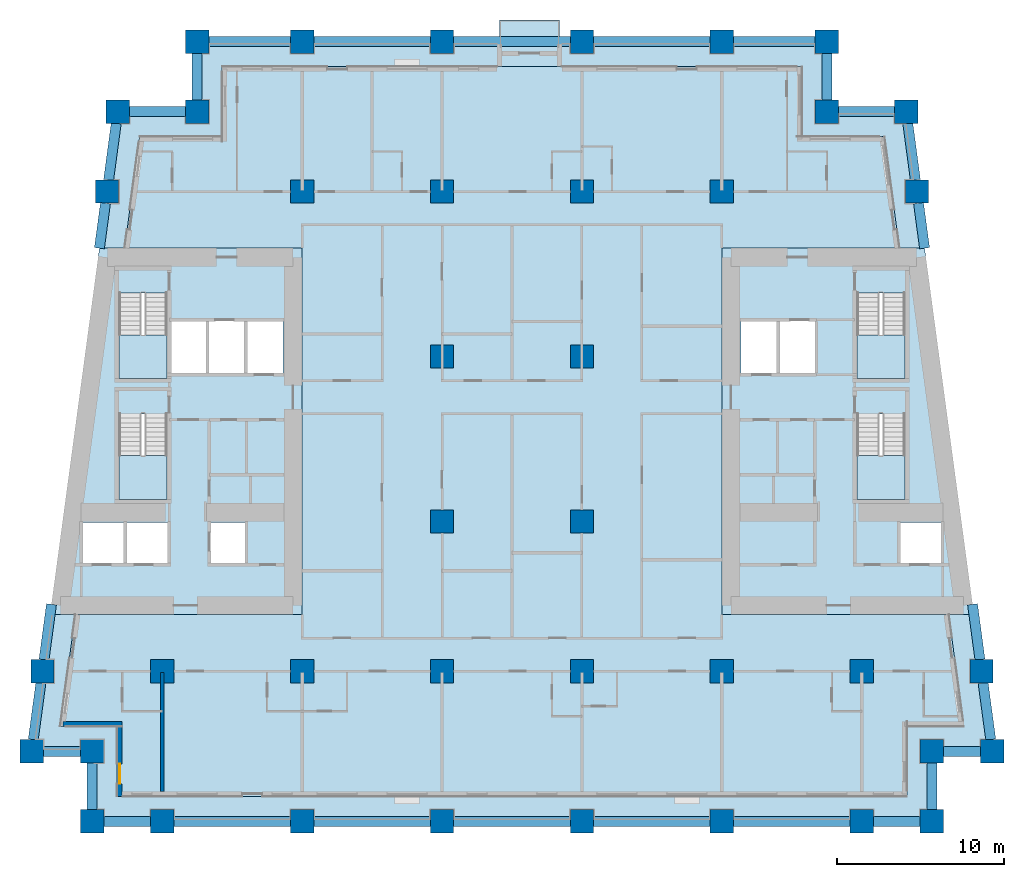
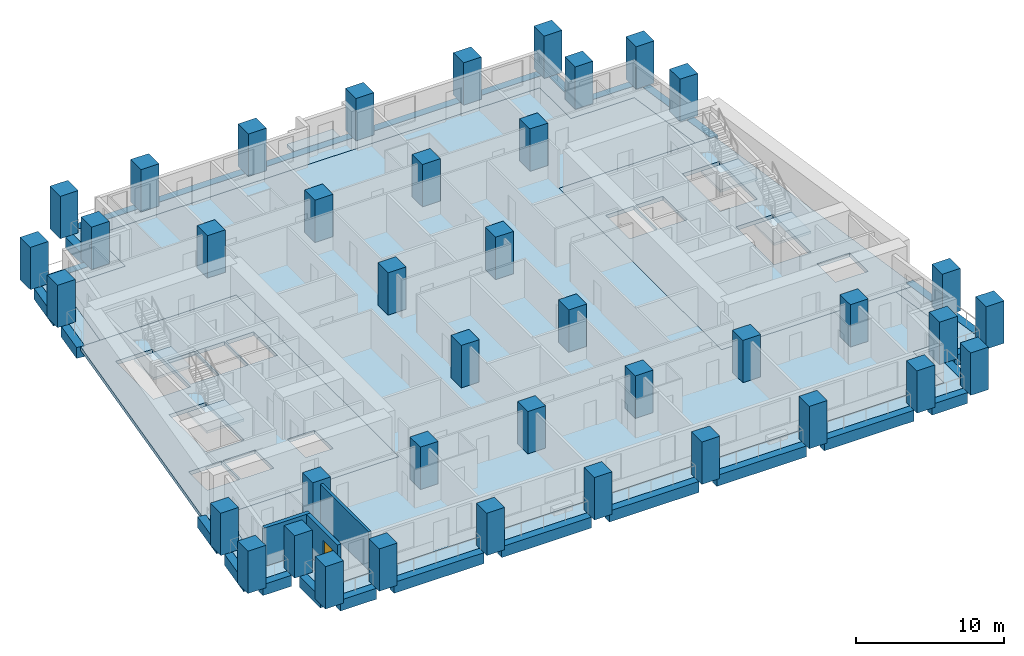
# One storey, part 1 of 13: 40 columns, 28 beams, 10 slabs, 3 walls, 1 door, 1 opening, 4 elements without a shape of their own.
"""IFC4 building model written with IfcOpenShell, lengths in metres."""

from ifc_helpers import new_model, si_unit, direction, frame, frame_2d, origin, origin_2d, place, context, subcontext, project, spatial, polyline, rectangle, outline, extrude, material, layer, layer_set, material_profile, profile_set, type_object, element, fill, aggregate, save


model = new_model("IFC4")

# Units and contexts
model_context = context("Model", 3, precision=1e-05, world=origin(), true_north=direction((0.0, 1.0)))
body_context = subcontext(model_context, "Body", "Model", "MODEL_VIEW")
ifc_project = project(units=[si_unit("LENGTHUNIT", "METRE"), si_unit("AREAUNIT", "SQUARE_METRE"), si_unit("VOLUMEUNIT", "CUBIC_METRE"), si_unit("PLANEANGLEUNIT", "RADIAN"), si_unit("MASSUNIT", "GRAM", prefix="KILO")], contexts=[model_context])

# Site, building, storey
site_placement = place(None, origin())
site = spatial("IfcSite", under=ifc_project, at=site_placement, CompositionType="ELEMENT")
building_placement = place(site_placement, origin())
building = spatial("IfcBuilding", under=site, at=building_placement, Name="Candeia Pilgrim Tower and Theatre", CompositionType="ELEMENT")
storey_placement = place(building_placement, frame((0.0, 0.0, 56.5)))
storey = spatial("IfcBuildingStorey", under=building, at=storey_placement, Name="L11", CompositionType="ELEMENT", Elevation=56.5)

# Columns
ifc_material_1 = material(Name="Concrete C80/95", Category="concrete")
ifc_material_profile_1 = material_profile(ifc_material_1, rectangle(XDim=1.39990234375, YDim=1.39990234375, at=origin_2d()))
ifc_profile_set_1 = profile_set([ifc_material_profile_1], Name="Concrete C80/95")
column_type = type_object("IfcColumnType", Name="RC 1400x1400 C80/95", PredefinedType="COLUMN", material=ifc_profile_set_1)
for number, where, z_axis, x_axis, name in (
    (1, (92.39990234375, 98.0, 0.0), (0.0, 0.0, 1.0), (1.0, 0.0, 0.0), "Column A1"),
    (2, (100.800048828125, 98.0, 0.0), (0.0, 0.0, 1.0), (1.0, 0.0, 0.0), "Column A2"),
    (3, (109.199951171875, 98.0, 0.0), (0.0, 0.0, 1.0), (1.0, 0.0, 0.0), "Column A3"),
    (4, (117.60009765625, 98.0, 0.0), (0.0, 0.0, 1.0), (1.0, 0.0, 0.0), "Column A4"),
    (5, (126.0, 98.0, 0.0), (0.0, 0.0, 1.0), (1.0, 0.0, 0.0), "Column A5"),
    (6, (134.39990234375, 98.0, 0.0), (0.0, 0.0, 1.0), (1.0, 0.0, 0.0), "Column A6"),
    (7, (88.199951171875, 98.0, 0.0), (0.0, 0.0, 1.0), (1.0, 0.0, 0.0), "Column AW"),
    (8, (138.60009765625, 98.0, 0.0), (0.0, 0.0, 1.0), (1.0, 0.0, 0.0), "Column AE"),
    (9, (88.199951171875, 102.199951171875, 0.0), (0.0, 0.0, 1.0), (1.0, 0.0, 0.0), "Column NSW"),
    (10, (138.60009765625, 102.199951171875, 0.0), (0.0, 0.0, 1.0), (1.0, 0.0, 0.0), "Column NSE"),
    (11, (94.5, 140.60009765625, 0.0), (0.0, 0.0, 1.0), (1.0, 0.0, 0.0), "Column NNW"),
    (12, (132.300048828125, 140.60009765625, 0.0), (0.0, 0.0, 1.0), (1.0, 0.0, 0.0), "Column NNE"),
    (13, (84.5654296875, 102.199951171875, 0.0), (0.0, 0.0, 1.0), (1.0, 0.0, 0.0), "Column LSW"),
    (14, (142.234619140625, 102.199951171875, 0.0), (0.0, 0.0, 1.0), (1.0, 0.0, 0.0), "Column LSE"),
    (15, (89.734619140625, 140.60009765625, 0.0), (0.0, 0.0, 1.0), (1.0, 0.0, 0.0), "Column LNW"),
    (16, (137.0654296875, 140.60009765625, 0.0), (0.0, 0.0, 1.0), (1.0, 0.0, 0.0), "Column LNE"),
    (17, (92.39990234375, 107.0, 0.0), (0.0, 0.0, 1.0), (1.0, 0.0, 0.0), "Column B1"),
    (18, (100.800048828125, 107.0, 0.0), (0.0, 0.0, 1.0), (1.0, 0.0, 0.0), "Column B2"),
    (19, (109.199951171875, 107.0, 0.0), (0.0, 0.0, 1.0), (1.0, 0.0, 0.0), "Column B3"),
    (20, (117.60009765625, 107.0, 0.0), (0.0, 0.0, 1.0), (1.0, 0.0, 0.0), "Column B4"),
    (21, (126.0, 107.0, 0.0), (0.0, 0.0, 1.0), (1.0, 0.0, 0.0), "Column B5"),
    (22, (134.39990234375, 107.0, 0.0), (0.0, 0.0, 1.0), (1.0, 0.0, 0.0), "Column B6"),
    (23, (85.21142578125, 107.0, 0.0), (0.0, 0.0, 1.0), (1.0, 0.0, 0.0), "Column BW"),
    (24, (141.58837890625, 107.0, 0.0), (0.0, 0.0, 1.0), (1.0, 0.0, 0.0), "Column BE"),
    (25, (109.199951171875, 116.0, 0.0), (0.0, 0.0, 1.0), (1.0, 0.0, 0.0), "Column C3"),
    (26, (117.60009765625, 116.0, 0.0), (0.0, 0.0, 1.0), (1.0, 0.0, 0.0), "Column C4"),
    (27, (109.199951171875, 125.89990234375, 0.0), (0.0, 0.0, 1.0), (1.0, 0.0, 0.0), "Column D3"),
    (28, (117.60009765625, 125.89990234375, 0.0), (0.0, 0.0, 1.0), (1.0, 0.0, 0.0), "Column D4"),
    (29, (100.800048828125, 135.800048828125, 0.0), (0.0, 0.0, 1.0), (1.0, 0.0, 0.0), "Column E2"),
    (30, (109.199951171875, 135.800048828125, 0.0), (0.0, 0.0, 1.0), (1.0, 0.0, 0.0), "Column E3"),
    (31, (117.60009765625, 135.800048828125, 0.0), (0.0, 0.0, 1.0), (1.0, 0.0, 0.0), "Column E4"),
    (32, (126.0, 135.800048828125, 0.0), (0.0, 0.0, 1.0), (1.0, 0.0, 0.0), "Column E5"),
    (33, (89.08837890625, 135.800048828125, 0.0), (0.0, 0.0, 1.0), (1.0, 0.0, 0.0), "Column EW"),
    (34, (137.71142578125, 135.800048828125, 0.0), (0.0, 0.0, 1.0), (1.0, 0.0, 0.0), "Column EE"),
    (35, (100.800048828125, 144.800048828125, 0.0), (0.0, 0.0, 1.0), (1.0, 0.0, 0.0), "Column F2"),
    (36, (109.199951171875, 144.800048828125, 0.0), (0.0, 0.0, 1.0), (1.0, 0.0, 0.0), "Column F3"),
    (37, (117.60009765625, 144.800048828125, 0.0), (0.0, 0.0, 1.0), (1.0, 0.0, 0.0), "Column F4"),
    (38, (126.0, 144.800048828125, 0.0), (0.0, 0.0, 1.0), (1.0, 0.0, 0.0), "Column F5"),
    (39, (94.5, 144.800048828125, 0.0), (0.0, 0.0, 1.0), (1.0, 0.0, 0.0), "Column FW"),
    (40, (132.300048828125, 144.800048828125, 0.0), (0.0, 0.0, 1.0), (1.0, 0.0, 0.0), "Column FE"),
):
    element("IfcColumn", number, at=place(storey_placement, frame(where, z_axis=z_axis, x_axis=x_axis)), inside=storey, type_object=column_type, Name=name, PredefinedType="COLUMN", context=body_context, shape_type="SweptSolid", body=[
        extrude(rectangle(XDim=1.39990234375, YDim=1.39990234375, at=origin_2d()), origin(), (0.0, 0.0, 1.0), 3.5),
    ])

# Beams
ifc_material_profile_2 = material_profile(ifc_material_1, rectangle(XDim=0.60009765625, YDim=0.89990234375, at=origin_2d()))
ifc_profile_set_2 = profile_set([ifc_material_profile_2], Name="Concrete C80/95")
beam_type = type_object("IfcBeamType", Name="RC 600x900 C80/95", PredefinedType="BEAM", material=ifc_profile_set_2)
beam_1_placement = place(storey_placement, frame((88.89990234375, 98.0, -0.449951171875), z_axis=(1.0, 0.0, 0.0), x_axis=(0.0, 1.0, 0.0)))
element("IfcBeam", 41, at=beam_1_placement, inside=storey, type_object=beam_type, Name="Spandrel beam L11-01", PredefinedType="BEAM", context=body_context, shape_type="SweptSolid", body=[
    extrude(rectangle(XDim=0.60009765625, YDim=0.89990234375, at=origin_2d()), origin(), (0.0, 0.0, 1.0), 2.800048828125),
])
for number, where, z_axis, x_axis, name in (
    (42, (93.10009765625, 98.0, -0.449951171875), (1.0, 0.0, 0.0), (0.0, 1.0, 0.0), "Spandrel beam L11-02"),
    (43, (101.5, 98.0, -0.449951171875), (1.0, 0.0, 0.0), (0.0, 1.0, 0.0), "Spandrel beam L11-03"),
    (44, (109.89990234375, 98.0, -0.449951171875), (1.0, 0.0, 0.0), (0.0, 1.0, 0.0), "Spandrel beam L11-04"),
    (45, (118.300048828125, 98.0, -0.449951171875), (1.0, 0.0, 0.0), (0.0, 1.0, 0.0), "Spandrel beam L11-05"),
    (46, (126.699951171875, 98.0, -0.449951171875), (1.0, 0.0, 0.0), (0.0, 1.0, 0.0), "Spandrel beam L11-06"),
):
    element("IfcBeam", number, at=place(storey_placement, frame(where, z_axis=z_axis, x_axis=x_axis)), inside=storey, type_object=beam_type, Name=name, PredefinedType="BEAM", context=body_context, shape_type="SweptSolid", body=[
        extrude(rectangle(XDim=0.60009765625, YDim=0.89990234375, at=origin_2d()), origin(), (0.0, 0.0, 1.0), 7.0),
    ])
beam_2_placement = place(storey_placement, frame((135.10009765625, 98.0, -0.449951171875), z_axis=(1.0, 0.0, 0.0), x_axis=(0.0, 1.0, 0.0)))
element("IfcBeam", 47, at=beam_2_placement, inside=storey, type_object=beam_type, Name="Spandrel beam L11-07", PredefinedType="BEAM", context=body_context, shape_type="SweptSolid", body=[
    extrude(rectangle(XDim=0.60009765625, YDim=0.89990234375, at=origin_2d()), origin(), (0.0, 0.0, 1.0), 2.7998046875),
])
beam_3_placement = place(storey_placement, frame((138.60009765625, 98.699951171875, -0.449951171875), z_axis=(0.0, 1.0, 0.0), x_axis=(-1.0, 0.0, 0.0)))
element("IfcBeam", 48, at=beam_3_placement, inside=storey, type_object=beam_type, Name="Spandrel beam L11-08", PredefinedType="BEAM", context=body_context, shape_type="SweptSolid", body=[
    extrude(rectangle(XDim=0.60009765625, YDim=0.89990234375, at=origin_2d()), origin(), (0.0, 0.0, 1.0), 2.800048828125),
])
beam_4_placement = place(storey_placement, frame((139.300048828125, 102.199951171875, -0.449951171875), z_axis=(1.0, 0.0, 0.0), x_axis=(0.0, 1.0, 0.0)))
element("IfcBeam", 49, at=beam_4_placement, inside=storey, type_object=beam_type, Name="Spandrel beam L11-09", PredefinedType="BEAM", context=body_context, shape_type="SweptSolid", body=[
    extrude(rectangle(XDim=0.60009765625, YDim=0.89990234375, at=origin_2d()), origin(), (0.0, 0.0, 1.0), 2.234619140625),
])
beam_5_placement = place(storey_placement, frame((142.140380859375, 102.89990234375, -0.449951171875), z_axis=(-0.133426797477, 0.991058671177, 0.0), x_axis=(-0.991058671177, -0.133426797477, 0.0)))
element("IfcBeam", 50, at=beam_5_placement, inside=storey, type_object=beam_type, Name="Spandrel beam L11-10", PredefinedType="BEAM", context=body_context, shape_type="SweptSolid", body=[
    extrude(rectangle(XDim=0.60009765625, YDim=0.89990234375, at=origin_2d()), origin(), (0.0, 0.0, 1.0), 3.430908203125),
])
beam_6_placement = place(storey_placement, frame((141.494140625, 107.699951171875, -0.449951171875), z_axis=(-0.13337488337, 0.991065659019, 0.0), x_axis=(-0.991065659019, -0.13337488337, 0.0)))
element("IfcBeam", 51, at=beam_6_placement, inside=storey, type_object=beam_type, Name="Spandrel beam L11-11", PredefinedType="BEAM", context=body_context, shape_type="SweptSolid", body=[
    extrude(rectangle(XDim=0.60009765625, YDim=0.89990234375, at=origin_2d()), origin(), (0.0, 0.0, 1.0), 3.353515625),
])
beam_7_placement = place(storey_placement, frame((138.169189453125, 132.39990234375, -0.449951171875), z_axis=(-0.133425552527, 0.991058838784, 0.0), x_axis=(-0.991058838784, -0.133425552527, 0.0)))
element("IfcBeam", 52, at=beam_7_placement, inside=storey, type_object=beam_type, Name="Spandrel beam L11-12", PredefinedType="BEAM", context=body_context, shape_type="SweptSolid", body=[
    extrude(rectangle(XDim=0.60009765625, YDim=0.89990234375, at=origin_2d()), origin(), (0.0, 0.0, 1.0), 2.724609375),
])
beam_8_placement = place(storey_placement, frame((137.6171875, 136.5, -0.449951171875), z_axis=(-0.13336630817, 0.991066813008, 0.0), x_axis=(-0.991066813008, -0.13336630817, 0.0)))
element("IfcBeam", 53, at=beam_8_placement, inside=storey, type_object=beam_type, Name="Spandrel beam L11-13", PredefinedType="BEAM", context=body_context, shape_type="SweptSolid", body=[
    extrude(rectangle(XDim=0.60009765625, YDim=0.89990234375, at=origin_2d()), origin(), (0.0, 0.0, 1.0), 3.4306640625),
])
beam_9_placement = place(storey_placement, frame((136.365478515625, 140.60009765625, -0.449951171875), z_axis=(-1.0, 0.0, 0.0), x_axis=(0.0, -1.0, 0.0)))
element("IfcBeam", 54, at=beam_9_placement, inside=storey, type_object=beam_type, Name="Spandrel beam L11-14", PredefinedType="BEAM", context=body_context, shape_type="SweptSolid", body=[
    extrude(rectangle(XDim=0.60009765625, YDim=0.89990234375, at=origin_2d()), origin(), (0.0, 0.0, 1.0), 3.365478515625),
])
beam_10_placement = place(storey_placement, frame((132.300048828125, 141.300048828125, -0.449951171875), z_axis=(0.0, 1.0, 0.0), x_axis=(-1.0, 0.0, 0.0)))
element("IfcBeam", 55, at=beam_10_placement, inside=storey, type_object=beam_type, Name="Spandrel beam L11-15", PredefinedType="BEAM", context=body_context, shape_type="SweptSolid", body=[
    extrude(rectangle(XDim=0.60009765625, YDim=0.89990234375, at=origin_2d()), origin(), (0.0, 0.0, 1.0), 2.800048828125),
])
beam_11_placement = place(storey_placement, frame((131.60009765625, 144.800048828125, -0.449951171875), z_axis=(-1.0, 0.0, 0.0), x_axis=(0.0, -1.0, 0.0)))
element("IfcBeam", 56, at=beam_11_placement, inside=storey, type_object=beam_type, Name="Spandrel beam L11-16", PredefinedType="BEAM", context=body_context, shape_type="SweptSolid", body=[
    extrude(rectangle(XDim=0.60009765625, YDim=0.89990234375, at=origin_2d()), origin(), (0.0, 0.0, 1.0), 4.900146484375),
])
for number, where, z_axis, x_axis, name in (
    (57, (125.300048828125, 144.800048828125, -0.449951171875), (-1.0, 0.0, 0.0), (0.0, -1.0, 0.0), "Spandrel beam L11-17"),
    (58, (116.89990234375, 144.800048828125, -0.449951171875), (-1.0, 0.0, 0.0), (0.0, -1.0, 0.0), "Spandrel beam L11-18"),
    (59, (108.5, 144.800048828125, -0.449951171875), (-1.0, 0.0, 0.0), (0.0, -1.0, 0.0), "Spandrel beam L11-19"),
):
    element("IfcBeam", number, at=place(storey_placement, frame(where, z_axis=z_axis, x_axis=x_axis)), inside=storey, type_object=beam_type, Name=name, PredefinedType="BEAM", context=body_context, shape_type="SweptSolid", body=[
        extrude(rectangle(XDim=0.60009765625, YDim=0.89990234375, at=origin_2d()), origin(), (0.0, 0.0, 1.0), 7.0),
    ])
beam_12_placement = place(storey_placement, frame((100.10009765625, 144.800048828125, -0.449951171875), z_axis=(-1.0, 0.0, 0.0), x_axis=(0.0, -1.0, 0.0)))
element("IfcBeam", 60, at=beam_12_placement, inside=storey, type_object=beam_type, Name="Spandrel beam L11-20", PredefinedType="BEAM", context=body_context, shape_type="SweptSolid", body=[
    extrude(rectangle(XDim=0.60009765625, YDim=0.89990234375, at=origin_2d()), origin(), (0.0, 0.0, 1.0), 4.900146484375),
])
beam_13_placement = place(storey_placement, frame((94.5, 144.10009765625, -0.449951171875), z_axis=(0.0, -1.0, 0.0), x_axis=(1.0, 0.0, 0.0)))
element("IfcBeam", 61, at=beam_13_placement, inside=storey, type_object=beam_type, Name="Spandrel beam L11-21", PredefinedType="BEAM", context=body_context, shape_type="SweptSolid", body=[
    extrude(rectangle(XDim=0.60009765625, YDim=0.89990234375, at=origin_2d()), origin(), (0.0, 0.0, 1.0), 2.800048828125),
])
beam_14_placement = place(storey_placement, frame((93.800048828125, 140.60009765625, -0.449951171875), z_axis=(-1.0, 0.0, 0.0), x_axis=(0.0, -1.0, 0.0)))
element("IfcBeam", 62, at=beam_14_placement, inside=storey, type_object=beam_type, Name="Spandrel beam L11-22", PredefinedType="BEAM", context=body_context, shape_type="SweptSolid", body=[
    extrude(rectangle(XDim=0.60009765625, YDim=0.89990234375, at=origin_2d()), origin(), (0.0, 0.0, 1.0), 3.365478515625),
])
beam_15_placement = place(storey_placement, frame((89.640380859375, 139.89990234375, -0.449951171875), z_axis=(-0.133436208017, -0.991057404185, 0.0), x_axis=(0.991057404185, -0.133436208017, 0.0)))
element("IfcBeam", 63, at=beam_15_placement, inside=storey, type_object=beam_type, Name="Spandrel beam L11-23", PredefinedType="BEAM", context=body_context, shape_type="SweptSolid", body=[
    extrude(rectangle(XDim=0.60009765625, YDim=0.89990234375, at=origin_2d()), origin(), (0.0, 0.0, 1.0), 3.4306640625),
])
beam_16_placement = place(storey_placement, frame((88.994140625, 135.10009765625, -0.449951171875), z_axis=(-0.133337538686, -0.991070684047, 0.0), x_axis=(0.991070684047, -0.133337538686, 0.0)))
element("IfcBeam", 64, at=beam_16_placement, inside=storey, type_object=beam_type, Name="Spandrel beam L11-24", PredefinedType="BEAM", context=body_context, shape_type="SweptSolid", body=[
    extrude(rectangle(XDim=0.60009765625, YDim=0.89990234375, at=origin_2d()), origin(), (0.0, 0.0, 1.0), 2.724609375),
])
beam_17_placement = place(storey_placement, frame((85.753173828125, 111.0234375, -0.449951171875), z_axis=(-0.133446390132, -0.991056033209, 0.0), x_axis=(0.991056033209, -0.133446390132, 0.0)))
element("IfcBeam", 65, at=beam_17_placement, inside=storey, type_object=beam_type, Name="Spandrel beam L11-25", PredefinedType="BEAM", context=body_context, shape_type="SweptSolid", body=[
    extrude(rectangle(XDim=0.60009765625, YDim=0.89990234375, at=origin_2d()), origin(), (0.0, 0.0, 1.0), 3.353515625),
])
beam_18_placement = place(storey_placement, frame((85.1171875, 106.300048828125, -0.449951171875), z_axis=(-0.133356902381, -0.991068078685, 0.0), x_axis=(0.991068078685, -0.133356902381, 0.0)))
element("IfcBeam", 66, at=beam_18_placement, inside=storey, type_object=beam_type, Name="Spandrel beam L11-26", PredefinedType="BEAM", context=body_context, shape_type="SweptSolid", body=[
    extrude(rectangle(XDim=0.60009765625, YDim=0.89990234375, at=origin_2d()), origin(), (0.0, 0.0, 1.0), 3.430908203125),
])
beam_19_placement = place(storey_placement, frame((85.265380859375, 102.199951171875, -0.449951171875), z_axis=(1.0, 0.0, 0.0), x_axis=(0.0, 1.0, 0.0)))
element("IfcBeam", 67, at=beam_19_placement, inside=storey, type_object=beam_type, Name="Spandrel beam L11-27", PredefinedType="BEAM", context=body_context, shape_type="SweptSolid", body=[
    extrude(rectangle(XDim=0.60009765625, YDim=0.89990234375, at=origin_2d()), origin(), (0.0, 0.0, 1.0), 2.234619140625),
])
beam_20_placement = place(storey_placement, frame((88.199951171875, 101.5, -0.449951171875), z_axis=(0.0, -1.0, 0.0), x_axis=(1.0, 0.0, 0.0)))
element("IfcBeam", 68, at=beam_20_placement, inside=storey, type_object=beam_type, Name="Spandrel beam L11-28", PredefinedType="BEAM", context=body_context, shape_type="SweptSolid", body=[
    extrude(rectangle(XDim=0.60009765625, YDim=0.89990234375, at=origin_2d()), origin(), (0.0, 0.0, 1.0), 2.800048828125),
])

# Slabs
ifc_material_2 = material(Name="Concrete C40/50", Category="concrete")
ifc_layer_1 = layer(ifc_material_2, 0.25)
ifc_layer_set_1 = layer_set([ifc_layer_1], Name="BK1 balcony slab 250")
slab_type_1 = type_object("IfcSlabType", Name="BK1 balcony slab 250", PredefinedType="USERDEFINED", material=ifc_layer_set_1)
slab_1_placement = place(storey_placement, frame((0.0, 0.0, -0.25)))
element("IfcSlab", 69, at=slab_1_placement, inside=storey, type_object=slab_type_1, Name="Balcony L11", ObjectType="BALCONY", PredefinedType="USERDEFINED", context=body_context, shape_type="SweptSolid", body=[
    extrude(outline(polyline([(112.64990234375, 144.5), (116.25, 144.5), (116.25, 146.10009765625), (112.64990234375, 146.10009765625), (112.64990234375, 144.5)])), origin(), (0.0, 0.0, 1.0), 0.25),
])
ifc_material_3 = material(Name="Concrete C60/75", Category="concrete")
ifc_layer_2 = layer(ifc_material_3, 0.320068359375)
ifc_layer_set_2 = layer_set([ifc_layer_2], Name="FS-CORE 320 core floor")
slab_type_2 = type_object("IfcSlabType", Name="FS-CORE 320 core floor", PredefinedType="FLOOR", material=ifc_layer_set_2)
slab_2_placement = place(storey_placement, frame((0.0, 0.0, -0.320068359375)))
element("IfcSlab", 70, at=slab_2_placement, inside=storey, type_object=slab_type_2, Name="Core floor W L11", PredefinedType="FLOOR", context=body_context, shape_type="SweptSolid", body=[
    extrude(outline(polyline([(100.800048828125, 132.39990234375), (100.800048828125, 110.39990234375), (85.669189453125, 110.39990234375), (88.630859375, 132.39990234375), (100.800048828125, 132.39990234375)]), holes=[polyline([(97.458984375, 128.050048828125), (97.458984375, 124.85009765625), (99.64990234375, 124.85009765625), (99.64990234375, 128.050048828125), (97.458984375, 128.050048828125)]), polyline([(95.277099609375, 115.949951171875), (95.277099609375, 113.449951171875), (97.41357421875, 113.449951171875), (97.41357421875, 115.949951171875), (95.277099609375, 115.949951171875)]), polyline([(95.16796875, 128.050048828125), (95.16796875, 124.85009765625), (97.35888671875, 124.85009765625), (97.35888671875, 128.050048828125), (95.16796875, 128.050048828125)]), polyline([(92.876953125, 128.050048828125), (92.876953125, 124.85009765625), (95.068115234375, 124.85009765625), (95.068115234375, 128.050048828125), (92.876953125, 128.050048828125)]), polyline([(90.228515625, 115.949951171875), (90.228515625, 113.449951171875), (92.777099609375, 113.449951171875), (92.777099609375, 115.949951171875), (90.228515625, 115.949951171875)]), polyline([(89.802001953125, 122.455078125), (89.802001953125, 117.324951171875), (92.701904296875, 117.324951171875), (92.701904296875, 122.455078125), (89.802001953125, 122.455078125)]), polyline([(89.802001953125, 129.705078125), (89.802001953125, 124.574951171875), (92.701904296875, 124.574951171875), (92.701904296875, 129.705078125), (89.802001953125, 129.705078125)]), polyline([(87.580078125, 115.949951171875), (87.580078125, 113.449951171875), (90.12841796875, 113.449951171875), (90.12841796875, 115.949951171875), (87.580078125, 115.949951171875)])]), origin(), (0.0, 0.0, 1.0), 0.320068359375),
])
slab_3_placement = place(storey_placement, frame((0.0, 0.0, -0.320068359375)))
element("IfcSlab", 71, at=slab_3_placement, inside=storey, type_object=slab_type_2, Name="Core floor E L11", PredefinedType="FLOOR", context=body_context, shape_type="SweptSolid", body=[
    extrude(outline(polyline([(138.169189453125, 132.39990234375), (141.130859375, 110.39990234375), (126.0, 110.39990234375), (126.0, 132.39990234375), (138.169189453125, 132.39990234375)]), holes=[polyline([(136.67138671875, 115.949951171875), (136.67138671875, 113.449951171875), (139.219970703125, 113.449951171875), (139.219970703125, 115.949951171875), (136.67138671875, 115.949951171875)]), polyline([(134.097900390625, 117.324951171875), (136.998046875, 117.324951171875), (136.998046875, 122.455078125), (134.097900390625, 122.455078125), (134.097900390625, 117.324951171875)]), polyline([(134.097900390625, 129.705078125), (134.097900390625, 124.574951171875), (136.998046875, 124.574951171875), (136.998046875, 129.705078125), (134.097900390625, 129.705078125)]), polyline([(131.632080078125, 128.050048828125), (129.44091796875, 128.050048828125), (129.44091796875, 124.85009765625), (131.632080078125, 124.85009765625), (131.632080078125, 128.050048828125)]), polyline([(127.14990234375, 128.050048828125), (127.14990234375, 124.85009765625), (129.341064453125, 124.85009765625), (129.341064453125, 128.050048828125), (127.14990234375, 128.050048828125)])]), origin(), (0.0, 0.0, 1.0), 0.320068359375),
])
ifc_material_4 = material(Name="Concrete C50/60", Category="concrete")
ifc_layer_3 = layer(ifc_material_4, 0.320068359375)
ifc_layer_set_3 = layer_set([ifc_layer_3], Name="Floor slab 320 C50/60")
slab_type_3 = type_object("IfcSlabType", Name="Floor slab 320 C50/60", PredefinedType="FLOOR", material=ifc_layer_set_3)
slab_4_placement = place(storey_placement, frame((0.0, 0.0, -0.320068359375)))
element("IfcSlab", 72, at=slab_4_placement, inside=storey, type_object=slab_type_3, Name="Floor slab L11", PredefinedType="FLOOR", context=body_context, shape_type="SweptSolid", body=[
    extrude(outline(polyline([(96.0, 139.10009765625), (96.0, 143.300048828125), (130.800048828125, 143.300048828125), (130.800048828125, 139.10009765625), (135.753662109375, 139.10009765625), (136.65576171875, 132.39990234375), (126.0, 132.39990234375), (126.0, 110.39990234375), (139.6171875, 110.39990234375), (140.51904296875, 103.699951171875), (137.10009765625, 103.699951171875), (137.10009765625, 99.5), (89.699951171875, 99.5), (89.699951171875, 103.699951171875), (86.28076171875, 103.699951171875), (87.182861328125, 110.39990234375), (100.800048828125, 110.39990234375), (100.800048828125, 132.39990234375), (90.144287109375, 132.39990234375), (91.046142578125, 139.10009765625), (96.0, 139.10009765625)])), origin(), (0.0, 0.0, 1.0), 0.320068359375),
])
ifc_layer_4 = layer(ifc_material_2, 0.25)
ifc_layer_set_4 = layer_set([ifc_layer_4], Name="Loggia slab 250 C40/50")
slab_type_4 = type_object("IfcSlabType", Name="Loggia slab 250 C40/50", PredefinedType="FLOOR", material=ifc_layer_set_4)
slab_5_placement = place(storey_placement, frame((0.0, 0.0, -0.25)))
element("IfcSlab", 73, at=slab_5_placement, inside=storey, type_object=slab_type_4, Name="Loggia slab L11 1", PredefinedType="FLOOR", context=body_context, shape_type="SweptSolid", body=[
    extrude(outline(polyline([(87.182861328125, 110.39990234375), (86.28076171875, 103.699951171875), (89.699951171875, 103.699951171875), (89.699951171875, 99.5), (137.10009765625, 99.5), (137.10009765625, 103.699951171875), (140.51904296875, 103.699951171875), (139.6171875, 110.39990234375), (140.828125, 110.39990234375), (141.8916015625, 102.5), (138.300048828125, 102.5), (138.300048828125, 98.300048828125), (88.5, 98.300048828125), (88.5, 102.5), (84.908447265625, 102.5), (85.971923828125, 110.39990234375), (87.182861328125, 110.39990234375)])), origin(), (0.0, 0.0, 1.0), 0.25),
])
slab_6_placement = place(storey_placement, frame((0.0, 0.0, -0.25)))
element("IfcSlab", 74, at=slab_6_placement, inside=storey, type_object=slab_type_4, Name="Loggia slab L11 2", PredefinedType="FLOOR", context=body_context, shape_type="SweptSolid", body=[
    extrude(outline(polyline([(136.65576171875, 132.39990234375), (135.753662109375, 139.10009765625), (130.800048828125, 139.10009765625), (130.800048828125, 143.300048828125), (96.0, 143.300048828125), (96.0, 139.10009765625), (91.046142578125, 139.10009765625), (90.144287109375, 132.39990234375), (88.93359375, 132.39990234375), (89.996826171875, 140.300048828125), (94.800048828125, 140.300048828125), (94.800048828125, 144.5), (132.0, 144.5), (132.0, 140.300048828125), (136.802978515625, 140.300048828125), (137.866455078125, 132.39990234375), (136.65576171875, 132.39990234375)])), origin(), (0.0, 0.0, 1.0), 0.25),
])

# Stair, slab
stair_type = type_object("IfcStairType", Name="ST-TWR dog-leg escape stair", PredefinedType="HALF_TURN_STAIR", material=ifc_material_2)
stair_1_placement = place(storey_placement, origin())
stair_1 = element("IfcStair", 75, at=stair_1_placement, inside=storey, type_object=stair_type, Name="L11 Escape stair ST1", PredefinedType="HALF_TURN_STAIR")
ifc_layer_5 = layer(ifc_material_2, 0.199951171875)
ifc_layer_set_5 = layer_set([ifc_layer_5], Name="SL-LANDING stair landing")
slab_type_5 = type_object("IfcSlabType", Name="SL-LANDING stair landing", PredefinedType="LANDING", material=ifc_layer_set_5)
slab_7_placement = place(storey_placement, frame((0.0, 0.0, 1.550048828125)))
slab_7 = element("IfcSlab", 76, at=slab_7_placement, type_object=slab_type_5, Name="ST1 landing 1", PredefinedType="LANDING", context=body_context, shape_type="SweptSolid", body=[
    extrude(outline(polyline([(89.802001953125, 119.955078125), (89.802001953125, 117.324951171875), (92.701904296875, 117.324951171875), (92.701904296875, 119.955078125), (89.802001953125, 119.955078125)])), origin(), (0.0, 0.0, 1.0), 0.199951171875),
])
aggregate(stair_1, [slab_7])

stair_2_placement = place(storey_placement, origin())
stair_2 = element("IfcStair", 77, at=stair_2_placement, inside=storey, type_object=stair_type, Name="L11 Escape stair ST2", PredefinedType="HALF_TURN_STAIR")
slab_8_placement = place(storey_placement, frame((0.0, 0.0, 1.550048828125)))
slab_8 = element("IfcSlab", 78, at=slab_8_placement, type_object=slab_type_5, Name="ST2 landing 1", PredefinedType="LANDING", context=body_context, shape_type="SweptSolid", body=[
    extrude(outline(polyline([(89.802001953125, 127.205078125), (89.802001953125, 124.574951171875), (92.701904296875, 124.574951171875), (92.701904296875, 127.205078125), (89.802001953125, 127.205078125)])), origin(), (0.0, 0.0, 1.0), 0.199951171875),
])
aggregate(stair_2, [slab_8])

stair_3_placement = place(storey_placement, origin())
stair_3 = element("IfcStair", 79, at=stair_3_placement, inside=storey, type_object=stair_type, Name="L11 Escape stair ST3", PredefinedType="HALF_TURN_STAIR")
slab_9_placement = place(storey_placement, frame((0.0, 0.0, 1.550048828125)))
slab_9 = element("IfcSlab", 80, at=slab_9_placement, type_object=slab_type_5, Name="ST3 landing 1", PredefinedType="LANDING", context=body_context, shape_type="SweptSolid", body=[
    extrude(outline(polyline([(134.097900390625, 119.955078125), (134.097900390625, 117.324951171875), (136.998046875, 117.324951171875), (136.998046875, 119.955078125), (134.097900390625, 119.955078125)])), origin(), (0.0, 0.0, 1.0), 0.199951171875),
])
aggregate(stair_3, [slab_9])

stair_4_placement = place(storey_placement, origin())
stair_4 = element("IfcStair", 81, at=stair_4_placement, inside=storey, type_object=stair_type, Name="L11 Escape stair ST4", PredefinedType="HALF_TURN_STAIR")
slab_10_placement = place(storey_placement, frame((0.0, 0.0, 1.550048828125)))
slab_10 = element("IfcSlab", 82, at=slab_10_placement, type_object=slab_type_5, Name="ST4 landing 1", PredefinedType="LANDING", context=body_context, shape_type="SweptSolid", body=[
    extrude(outline(polyline([(134.097900390625, 127.205078125), (134.097900390625, 124.574951171875), (136.998046875, 124.574951171875), (136.998046875, 127.205078125), (134.097900390625, 127.205078125)])), origin(), (0.0, 0.0, 1.0), 0.199951171875),
])
aggregate(stair_4, [slab_10])

# Wall
ifc_material_5 = material(Name="Ceramic block masonry", Category="masonry")
ifc_layer_6 = layer(ifc_material_5, 0.300048828125)
ifc_layer_set_6 = layer_set([ifc_layer_6], Name="EW1 glazing-line wall 300")
wall_type_1 = type_object("IfcWallType", Name="EW1 glazing-line wall 300", PredefinedType="SOLIDWALL", material=ifc_layer_set_6)
wall_1_placement = place(storey_placement, frame((86.452392578125, 103.85009765625, 0.0), z_axis=(0.0, 0.0, 1.0), x_axis=(1.0, 0.0, 0.0)))
element("IfcWall", 83, at=wall_1_placement, inside=storey, type_object=wall_type_1, Name="External wall L11-10.0", PredefinedType="SOLIDWALL", context=body_context, shape_type="SweptSolid", body=[
    extrude(rectangle(XDim=3.547607421875, YDim=0.300048828125, at=frame_2d((1.77392578125, 0.0))), origin(), (0.0, 0.0, 1.0), 3.179931640625),
])

# Wall, opening, door
wall_2_placement = place(storey_placement, frame((89.85009765625, 103.85009765625, 0.0), z_axis=(0.0, 0.0, 1.0), x_axis=(0.0, -1.0, 0.0)))
wall_2 = element("IfcWall", 84, at=wall_2_placement, inside=storey, type_object=wall_type_1, Name="External wall L11-11.0", PredefinedType="SOLIDWALL", context=body_context, shape_type="SweptSolid", body=[
    extrude(rectangle(XDim=4.35009765625, YDim=0.300048828125, at=frame_2d((2.175048828125, 0.0))), origin(), (0.0, 0.0, 1.0), 3.179931640625),
])
opening_placement = place(wall_2_placement, frame((2.39990234375, 0.0, 0.0)))
opening = element("IfcOpeningElement", 85, at=opening_placement, cuts=wall_2, Name="Opening L11-ED137", PredefinedType="OPENING", context=body_context, shape_type="SweptSolid", body=[
    extrude(rectangle(XDim=1.199951171875, YDim=2.39990234375, at=frame_2d((0.60009765625, 1.199951171875))), frame((0.0, 0.16015625, 0.0), z_axis=(0.0, -1.0, 0.0), x_axis=(1.0, 0.0, 0.0)), (0.0, 0.0, 1.0), 0.320068359375),
])
ifc_material_6 = material(Name="Aluminium framed glazed door", Category="aluminium")
door_type = type_object("IfcDoorType", Name="Loggia door 1200x2400", OperationType="DOUBLE_DOOR_SINGLE_SWING", PredefinedType="DOOR", material=ifc_material_6)
door_placement = place(opening_placement, origin())
door = element("IfcDoor", 86, at=door_placement, inside=storey, type_object=door_type, Name="Loggia door L11-ED137", OperationType="DOUBLE_DOOR_SINGLE_SWING", OverallHeight=2.39990234375, OverallWidth=1.199951171875, PredefinedType="DOOR", context=body_context, shape_type="SweptSolid", body=[
    extrude(rectangle(XDim=1.199951171875, YDim=2.39990234375, at=frame_2d((0.60009765625, 1.199951171875))), frame((0.0, 0.02490234375, 0.0), z_axis=(0.0, -1.0, 0.0), x_axis=(1.0, 0.0, 0.0)), (0.0, 0.0, 1.0), 0.050048828125),
])
fill(opening, door)

# Wall
ifc_material_7 = material(Name="Gypsum board partition on steel studs", Category="steel")
ifc_layer_7 = layer(ifc_material_7, 0.199951171875)
ifc_layer_set_7 = layer_set([ifc_layer_7], Name="PW-200 party wall")
wall_type_2 = type_object("IfcWallType", Name="PW-200 party wall", PredefinedType="PARTITIONING", material=ifc_layer_set_7)
wall_3_placement = place(storey_placement, frame((92.39990234375, 99.7900390625, 0.0), z_axis=(0.0, 0.0, 1.0), x_axis=(0.0, 1.0, 0.0)))
element("IfcWall", 87, at=wall_3_placement, inside=storey, type_object=wall_type_2, Name="Party wall L11-060", PredefinedType="PARTITIONING", context=body_context, shape_type="SweptSolid", body=[
    extrude(rectangle(XDim=7.135009765625, YDim=0.199951171875, at=frame_2d((3.5673828125, 0.0))), origin(), (0.0, 0.0, 1.0), 3.179931640625),
])

save(model, "model.ifc")
